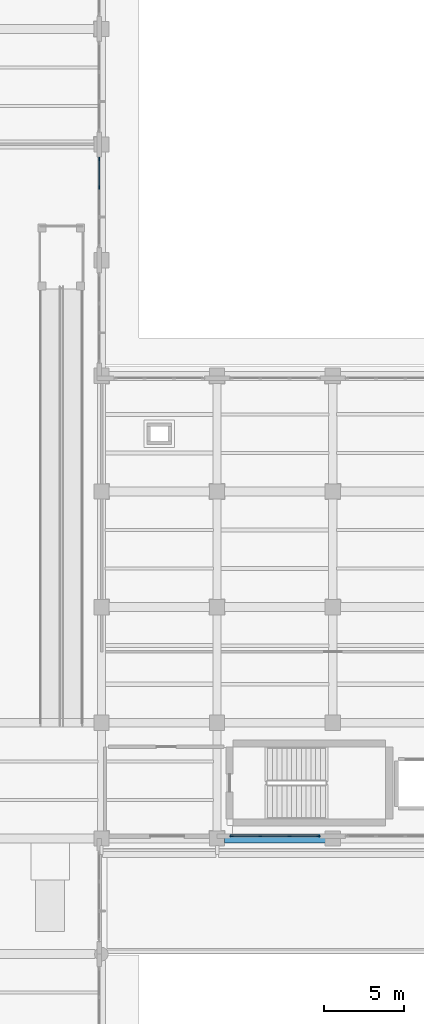
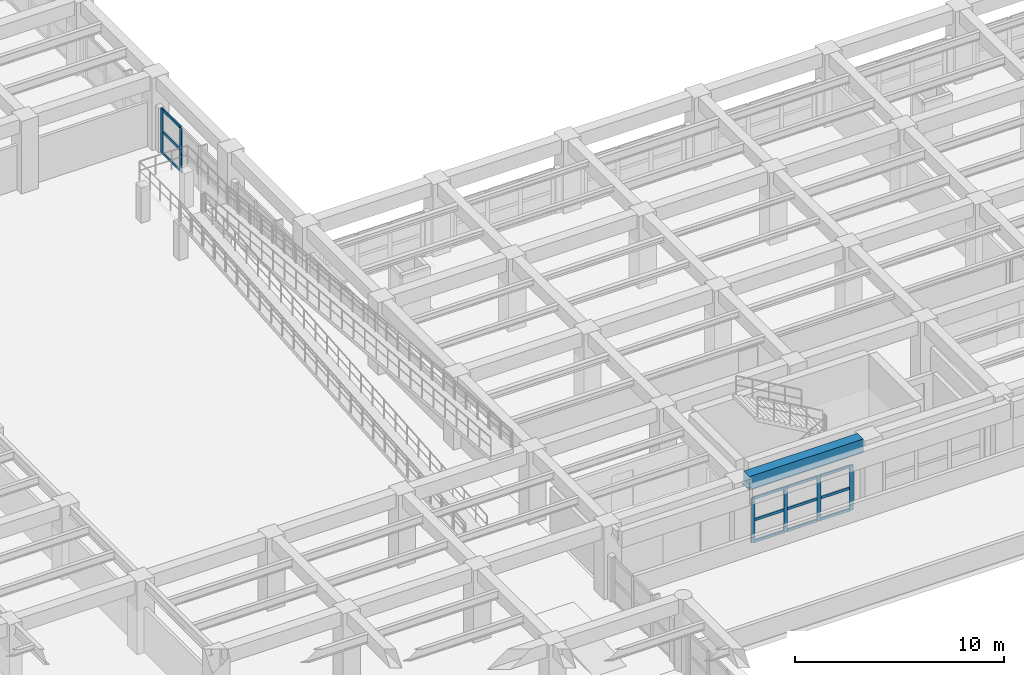
# One storey, part 11 of 64: 18 members, 1 beam, 2 elements without a shape of their own.
"""IFC4 building model written with IfcOpenShell, lengths in metres."""

from ifc_helpers import new_model, si_unit, direction, frame, origin, origin_2d, place, context, subcontext, project, spatial, rectangle, extrude, material, layer, layer_set, material_profile, profile_set, type_object, element, aggregate, save


model = new_model("IFC4")

# Units and contexts
model_context = context("Model", 3, precision=1e-05, world=origin(), true_north=direction((0.0, 1.0)))
body_context = subcontext(model_context, "Body", "Model", "MODEL_VIEW")
ifc_project = project(units=[si_unit("LENGTHUNIT", "METRE"), si_unit("AREAUNIT", "SQUARE_METRE"), si_unit("VOLUMEUNIT", "CUBIC_METRE"), si_unit("PLANEANGLEUNIT", "RADIAN"), si_unit("MASSUNIT", "GRAM", prefix="KILO")], contexts=[model_context])

# Site, building, storey
site_placement = place(None, origin())
site = spatial("IfcSite", under=ifc_project, at=site_placement, CompositionType="ELEMENT")
building_placement = place(site_placement, origin())
building = spatial("IfcBuilding", under=site, at=building_placement, Name="Solenvale Faculty of Natural Sciences", CompositionType="ELEMENT")
storey_placement = place(building_placement, origin())
storey = spatial("IfcBuildingStorey", under=building, at=storey_placement, Name="L00", CompositionType="ELEMENT", Elevation=0.0)

# Beam
ifc_material_1 = material(Name="Concrete 40 MPa", Category="concrete")
ifc_material_profile_1 = material_profile(ifc_material_1, rectangle(XDim=0.550048828125, YDim=0.800048828125, at=origin_2d()), Name="RC-BM-550x800")
ifc_profile_set_1 = profile_set([ifc_material_profile_1], Name="Concrete 40 MPa")
beam_type = type_object("IfcBeamType", Name="BM-RC-550x800", PredefinedType="BEAM", material=ifc_profile_set_1)
beam_placement = place(storey_placement, frame((65.2548828125, 21.60009765625, 3.820068359375), z_axis=(1.0, 0.0, 0.0), x_axis=(0.0, 1.0, 0.0)))
element("IfcBeam", 1, at=beam_placement, inside=storey, type_object=beam_type, Name="L00 X-Girder Y21.6 (64.8..72.0)", PredefinedType="BEAM", context=body_context, shape_type="SweptSolid", body=[
    extrude(rectangle(XDim=0.550048828125, YDim=0.800048828125, at=origin_2d()), origin(), (0.0, 0.0, 1.0), 6.2900390625),
])

# Curtain wall, members
ifc_material_2 = material(Name="Anodised bronze aluminium", Category="aluminium")
ifc_layer_1 = layer(ifc_material_2, 0.179931640625)
ifc_layer_set_1 = layer_set([ifc_layer_1], Name="Anodised bronze aluminium")
curtain_wall_type_1 = type_object("IfcCurtainWallType", Name="CW-TWR-MOD", PredefinedType="USERDEFINED", material=ifc_layer_set_1)
curtain_wall_1_placement = place(storey_placement, origin())
curtain_wall_1 = element("IfcCurtainWall", 2, at=curtain_wall_1_placement, inside=storey, type_object=curtain_wall_type_1, Name="L00 Curtain Wall CW-L00-P1-E3-B2", ObjectType="UNITISED CURTAIN WALL", PredefinedType="USERDEFINED")
ifc_material_profile_2 = material_profile(ifc_material_2, rectangle(XDim=0.074951171875, YDim=0.2099609375, at=origin_2d()), Name="ALU-MUL-75x210")
ifc_profile_set_2 = profile_set([ifc_material_profile_2], Name="Anodised bronze aluminium")
member_type_1 = type_object("IfcMemberType", Name="CWM-ALU-75x210", PredefinedType="MULLION", material=ifc_profile_set_2)
member_1_placement = place(storey_placement, frame((65.6875, 21.742431640625, 0.0), z_axis=(0.0, 0.0, 1.0), x_axis=(0.0, 1.0, 0.0)))
member_1 = element("IfcMember", 3, at=member_1_placement, type_object=member_type_1, Name="CW-04 mullion 1", PredefinedType="MULLION", context=body_context, shape_type="SweptSolid", body=[
    extrude(rectangle(XDim=0.074951171875, YDim=0.2099609375, at=origin_2d()), origin(), (0.0, 0.0, 1.0), 2.60009765625),
])
member_2_placement = place(storey_placement, frame((67.4833984375, 21.742431640625, 0.0), z_axis=(0.0, 0.0, 1.0), x_axis=(0.0, 1.0, 0.0)))
member_2 = element("IfcMember", 4, at=member_2_placement, type_object=member_type_1, Name="CW-04 mullion 2", PredefinedType="MULLION", context=body_context, shape_type="SweptSolid", body=[
    extrude(rectangle(XDim=0.074951171875, YDim=0.2099609375, at=origin_2d()), origin(), (0.0, 0.0, 1.0), 2.60009765625),
])
member_3_placement = place(storey_placement, frame((69.316650390625, 21.742431640625, 0.0), z_axis=(0.0, 0.0, 1.0), x_axis=(0.0, 1.0, 0.0)))
member_3 = element("IfcMember", 5, at=member_3_placement, type_object=member_type_1, Name="CW-04 mullion 3", PredefinedType="MULLION", context=body_context, shape_type="SweptSolid", body=[
    extrude(rectangle(XDim=0.074951171875, YDim=0.2099609375, at=origin_2d()), origin(), (0.0, 0.0, 1.0), 2.60009765625),
])
member_4_placement = place(storey_placement, frame((71.112548828125, 21.742431640625, 0.0), z_axis=(0.0, 0.0, 1.0), x_axis=(0.0, 1.0, 0.0)))
member_4 = element("IfcMember", 6, at=member_4_placement, type_object=member_type_1, Name="CW-04 mullion 4", PredefinedType="MULLION", context=body_context, shape_type="SweptSolid", body=[
    extrude(rectangle(XDim=0.074951171875, YDim=0.2099609375, at=origin_2d()), origin(), (0.0, 0.0, 1.0), 2.60009765625),
])

ifc_layer_2 = layer(ifc_material_2, 0.215087890625)
ifc_layer_set_2 = layer_set([ifc_layer_2], Name="Anodised bronze aluminium")
curtain_wall_type_2 = type_object("IfcCurtainWallType", Name="CW-ATR-UNIT", PredefinedType="USERDEFINED", material=ifc_layer_set_2)
curtain_wall_2_placement = place(storey_placement, origin())
curtain_wall_2 = element("IfcCurtainWall", 7, at=curtain_wall_2_placement, inside=storey, type_object=curtain_wall_type_2, Name="L00 Curtain Wall CW-L00-P1-E10-B2", ObjectType="UNITISED CURTAIN WALL", PredefinedType="USERDEFINED")
member_5_placement = place(storey_placement, frame((57.45751953125, 62.11669921875, 0.0), z_axis=(0.0, 0.0, 1.0), x_axis=(-1.0, 0.0, 0.0)))
member_5 = element("IfcMember", 8, at=member_5_placement, type_object=member_type_1, Name="CW-01 mullion 3", PredefinedType="MULLION", context=body_context, shape_type="SweptSolid", body=[
    extrude(rectangle(XDim=0.074951171875, YDim=0.2099609375, at=origin_2d()), origin(), (0.0, 0.0, 1.0), 2.60009765625),
])
member_6_placement = place(storey_placement, frame((57.45751953125, 63.91259765625, 0.0), z_axis=(0.0, 0.0, 1.0), x_axis=(-1.0, 0.0, 0.0)))
member_6 = element("IfcMember", 9, at=member_6_placement, type_object=member_type_1, Name="CW-01 mullion 4", PredefinedType="MULLION", context=body_context, shape_type="SweptSolid", body=[
    extrude(rectangle(XDim=0.074951171875, YDim=0.2099609375, at=origin_2d()), origin(), (0.0, 0.0, 1.0), 2.60009765625),
])

# Member
ifc_material_profile_3 = material_profile(ifc_material_2, rectangle(XDim=0.074951171875, YDim=0.155029296875, at=origin_2d()), Name="ALU-TRN-75x155")
ifc_profile_set_3 = profile_set([ifc_material_profile_3], Name="Anodised bronze aluminium")
member_type_2 = type_object("IfcMemberType", Name="CWT-ALU-75x155", PredefinedType="USERDEFINED", material=ifc_profile_set_3)
member_7_placement = place(storey_placement, frame((65.72509765625, 21.742431640625, 0.03759765625), z_axis=(1.0, 0.0, 0.0), x_axis=(0.0, 1.0, 0.0)))
member_7 = element("IfcMember", 10, at=member_7_placement, type_object=member_type_2, Name="CW-04 transom 1.1", ObjectType="TRANSOM", PredefinedType="USERDEFINED", context=body_context, shape_type="SweptSolid", body=[
    extrude(rectangle(XDim=0.074951171875, YDim=0.155029296875, at=origin_2d()), origin(), (0.0, 0.0, 1.0), 1.720703125),
])

member_8_placement = place(storey_placement, frame((65.72509765625, 21.742431640625, 1.300048828125), z_axis=(1.0, 0.0, 0.0), x_axis=(0.0, 1.0, 0.0)))
member_8 = element("IfcMember", 11, at=member_8_placement, type_object=member_type_2, Name="CW-04 transom 1.2", ObjectType="TRANSOM", PredefinedType="USERDEFINED", context=body_context, shape_type="SweptSolid", body=[
    extrude(rectangle(XDim=0.074951171875, YDim=0.155029296875, at=origin_2d()), origin(), (0.0, 0.0, 1.0), 1.720703125),
])

member_9_placement = place(storey_placement, frame((65.72509765625, 21.742431640625, 2.5625), z_axis=(1.0, 0.0, 0.0), x_axis=(0.0, 1.0, 0.0)))
member_9 = element("IfcMember", 12, at=member_9_placement, type_object=member_type_2, Name="CW-04 transom 1.3", ObjectType="TRANSOM", PredefinedType="USERDEFINED", context=body_context, shape_type="SweptSolid", body=[
    extrude(rectangle(XDim=0.074951171875, YDim=0.155029296875, at=origin_2d()), origin(), (0.0, 0.0, 1.0), 1.720703125),
])

member_10_placement = place(storey_placement, frame((67.520751953125, 21.742431640625, 0.03759765625), z_axis=(1.0, 0.0, 0.0), x_axis=(0.0, 1.0, 0.0)))
member_10 = element("IfcMember", 13, at=member_10_placement, type_object=member_type_2, Name="CW-04 transom 2.1", ObjectType="TRANSOM", PredefinedType="USERDEFINED", context=body_context, shape_type="SweptSolid", body=[
    extrude(rectangle(XDim=0.074951171875, YDim=0.155029296875, at=origin_2d()), origin(), (0.0, 0.0, 1.0), 1.75830078125),
])

member_11_placement = place(storey_placement, frame((67.520751953125, 21.742431640625, 1.300048828125), z_axis=(1.0, 0.0, 0.0), x_axis=(0.0, 1.0, 0.0)))
member_11 = element("IfcMember", 14, at=member_11_placement, type_object=member_type_2, Name="CW-04 transom 2.2", ObjectType="TRANSOM", PredefinedType="USERDEFINED", context=body_context, shape_type="SweptSolid", body=[
    extrude(rectangle(XDim=0.074951171875, YDim=0.155029296875, at=origin_2d()), origin(), (0.0, 0.0, 1.0), 1.75830078125),
])

member_12_placement = place(storey_placement, frame((67.520751953125, 21.742431640625, 2.5625), z_axis=(1.0, 0.0, 0.0), x_axis=(0.0, 1.0, 0.0)))
member_12 = element("IfcMember", 15, at=member_12_placement, type_object=member_type_2, Name="CW-04 transom 2.3", ObjectType="TRANSOM", PredefinedType="USERDEFINED", context=body_context, shape_type="SweptSolid", body=[
    extrude(rectangle(XDim=0.074951171875, YDim=0.155029296875, at=origin_2d()), origin(), (0.0, 0.0, 1.0), 1.75830078125),
])

member_13_placement = place(storey_placement, frame((69.354248046875, 21.742431640625, 0.03759765625), z_axis=(1.0, 0.0, 0.0), x_axis=(0.0, 1.0, 0.0)))
member_13 = element("IfcMember", 16, at=member_13_placement, type_object=member_type_2, Name="CW-04 transom 3.1", ObjectType="TRANSOM", PredefinedType="USERDEFINED", context=body_context, shape_type="SweptSolid", body=[
    extrude(rectangle(XDim=0.074951171875, YDim=0.155029296875, at=origin_2d()), origin(), (0.0, 0.0, 1.0), 1.720703125),
])

member_14_placement = place(storey_placement, frame((69.354248046875, 21.742431640625, 1.300048828125), z_axis=(1.0, 0.0, 0.0), x_axis=(0.0, 1.0, 0.0)))
member_14 = element("IfcMember", 17, at=member_14_placement, type_object=member_type_2, Name="CW-04 transom 3.2", ObjectType="TRANSOM", PredefinedType="USERDEFINED", context=body_context, shape_type="SweptSolid", body=[
    extrude(rectangle(XDim=0.074951171875, YDim=0.155029296875, at=origin_2d()), origin(), (0.0, 0.0, 1.0), 1.720703125),
])

member_15_placement = place(storey_placement, frame((69.354248046875, 21.742431640625, 2.5625), z_axis=(1.0, 0.0, 0.0), x_axis=(0.0, 1.0, 0.0)))
member_15 = element("IfcMember", 18, at=member_15_placement, type_object=member_type_2, Name="CW-04 transom 3.3", ObjectType="TRANSOM", PredefinedType="USERDEFINED", context=body_context, shape_type="SweptSolid", body=[
    extrude(rectangle(XDim=0.074951171875, YDim=0.155029296875, at=origin_2d()), origin(), (0.0, 0.0, 1.0), 1.720703125),
])

aggregate(curtain_wall_1, [member_1, member_2, member_3, member_4, member_7, member_8, member_9, member_10, member_11, member_12, member_13, member_14, member_15])

member_16_placement = place(storey_placement, frame((57.45751953125, 62.154052734375, 0.03759765625), z_axis=(0.0, 1.0, 0.0), x_axis=(-1.0, 0.0, 0.0)))
member_16 = element("IfcMember", 19, at=member_16_placement, type_object=member_type_2, Name="CW-01 transom 3.1", ObjectType="TRANSOM", PredefinedType="USERDEFINED", context=body_context, shape_type="SweptSolid", body=[
    extrude(rectangle(XDim=0.074951171875, YDim=0.155029296875, at=origin_2d()), origin(), (0.0, 0.0, 1.0), 1.720947265625),
])

member_17_placement = place(storey_placement, frame((57.45751953125, 62.154052734375, 1.300048828125), z_axis=(0.0, 1.0, 0.0), x_axis=(-1.0, 0.0, 0.0)))
member_17 = element("IfcMember", 20, at=member_17_placement, type_object=member_type_2, Name="CW-01 transom 3.2", ObjectType="TRANSOM", PredefinedType="USERDEFINED", context=body_context, shape_type="SweptSolid", body=[
    extrude(rectangle(XDim=0.074951171875, YDim=0.155029296875, at=origin_2d()), origin(), (0.0, 0.0, 1.0), 1.720947265625),
])

member_18_placement = place(storey_placement, frame((57.45751953125, 62.154052734375, 2.5625), z_axis=(0.0, 1.0, 0.0), x_axis=(-1.0, 0.0, 0.0)))
member_18 = element("IfcMember", 21, at=member_18_placement, type_object=member_type_2, Name="CW-01 transom 3.3", ObjectType="TRANSOM", PredefinedType="USERDEFINED", context=body_context, shape_type="SweptSolid", body=[
    extrude(rectangle(XDim=0.074951171875, YDim=0.155029296875, at=origin_2d()), origin(), (0.0, 0.0, 1.0), 1.720947265625),
])

aggregate(curtain_wall_2, [member_5, member_6, member_16, member_17, member_18])

save(model, "model.ifc")
